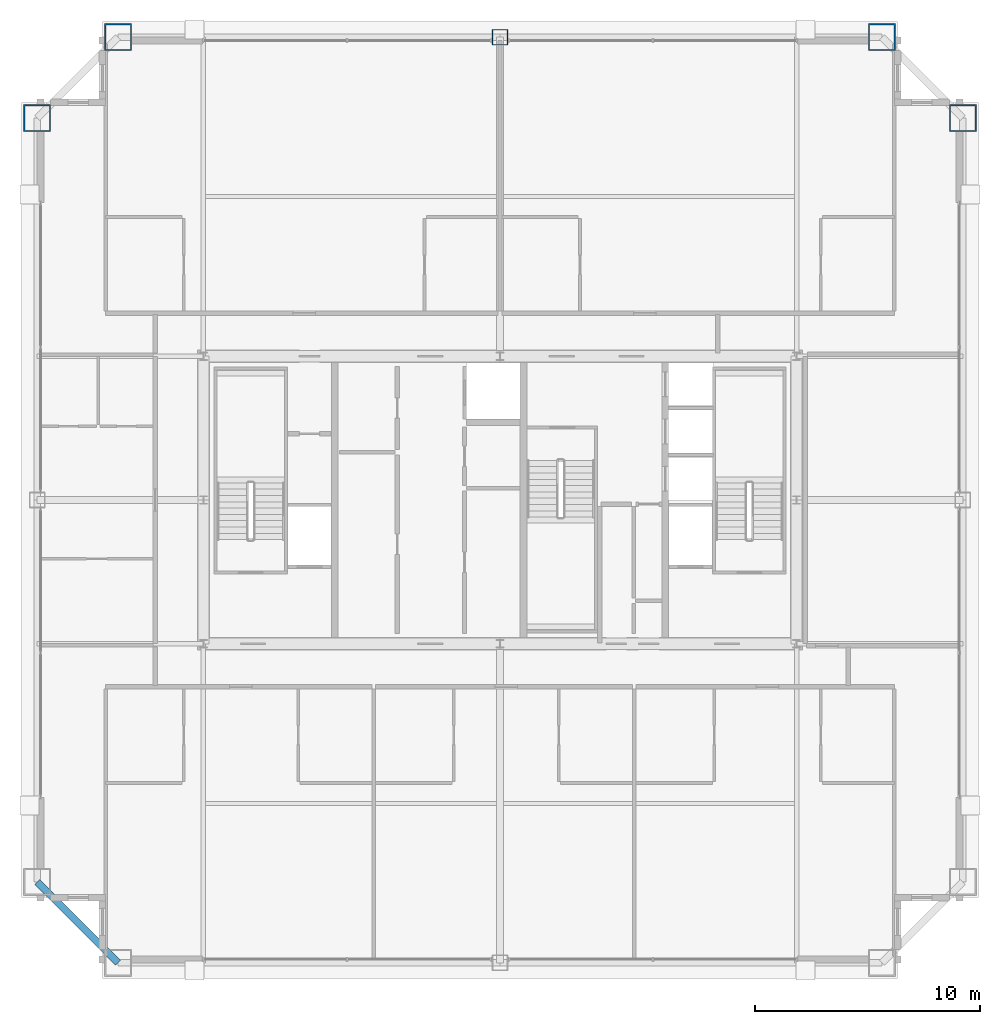
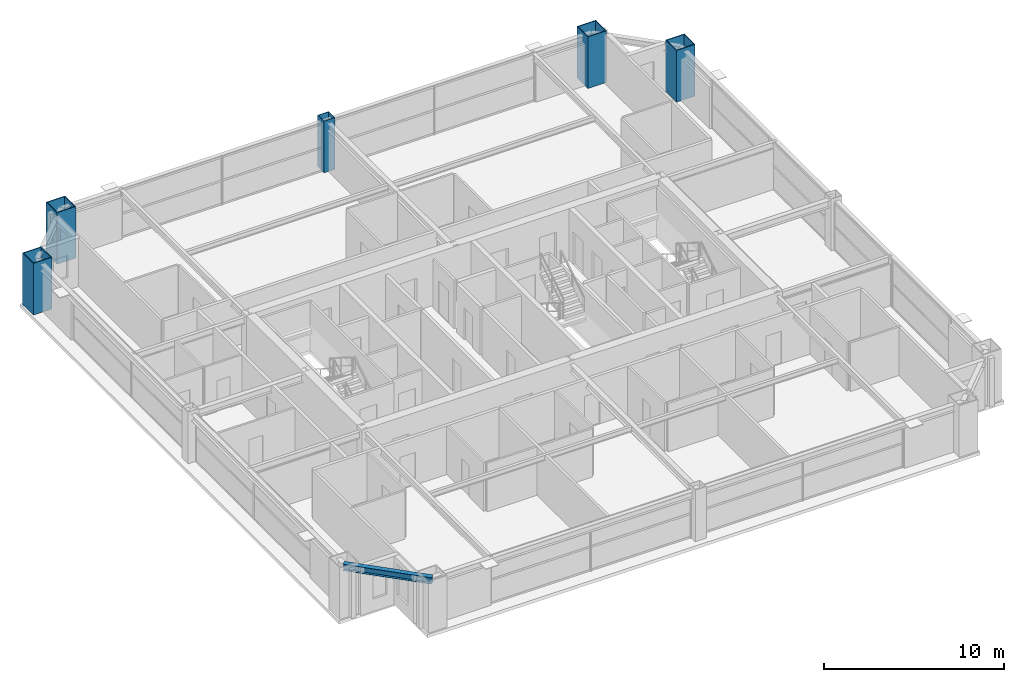
# One storey, part 3 of 37: 5 columns, 1 beam.
"""IFC4 building model written with IfcOpenShell, lengths in metres."""

from ifc_helpers import new_model, si_unit, direction, frame, origin, origin_2d, place, context, subcontext, project, spatial, hollow_rectangle, i_section, extrude, source, transform, mapped, material, material_profile, profile_set, type_object, element, save


model = new_model("IFC4")

# Units and contexts
model_context = context("Model", 3, precision=1e-05, world=origin(), true_north=direction((0.0, 1.0)))
body_context = subcontext(model_context, "Body", "Model", "MODEL_VIEW")
ifc_project = project(units=[si_unit("LENGTHUNIT", "METRE"), si_unit("AREAUNIT", "SQUARE_METRE"), si_unit("VOLUMEUNIT", "CUBIC_METRE"), si_unit("PLANEANGLEUNIT", "RADIAN"), si_unit("MASSUNIT", "GRAM", prefix="KILO"), si_unit("THERMODYNAMICTEMPERATUREUNIT", "KELVIN"), si_unit("POWERUNIT", "WATT")], contexts=[model_context])

# Site, building, storey
site_placement = place(None, origin())
site = spatial("IfcSite", under=ifc_project, at=site_placement, CompositionType="ELEMENT")
building_placement = place(site_placement, origin())
building = spatial("IfcBuilding", under=site, at=building_placement, Name="Yuzanri Waterfront Tower", CompositionType="ELEMENT")
storey_placement = place(building_placement, frame((0.0, 0.0, 275.10009765625)))
storey = spatial("IfcBuildingStorey", under=building, at=storey_placement, Name="L73", CompositionType="ELEMENT", Elevation=275.10009765625)

# Columns
ifc_material_1 = material(Name="Steel Q390GJC", Category="steel")
ifc_material_profile_1 = material_profile(ifc_material_1, hollow_rectangle(XDim=1.199951171875, YDim=1.199951171875, WallThickness=0.054931640625, at=origin_2d()), Name="RHS 1200x1200x55")
ifc_profile_set_1 = profile_set([ifc_material_profile_1], Name="Steel Q390GJC")
column_type_1 = type_object("IfcColumnType", Name="Mega Column Q390GJC RHS 1200x1200x55", PredefinedType="COLUMN", material=ifc_profile_set_1)
shared_shape_1 = source(origin(), body_context, "Body", "SweptSolid", [
    extrude(hollow_rectangle(XDim=1.199951171875, YDim=1.199951171875, WallThickness=0.054931640625, at=origin_2d()), origin(), (0.0, 0.0, 1.0), 3.5),
])
for number, where, z_axis, x_axis, name in (
    (1, (20.0, 46.39990234375, 0.0), (0.0, 0.0, 1.0), (1.0, 0.0, 0.0), "L73 Perimeter Mega Column N1"),
    (2, (54.0, 46.39990234375, 0.0), (0.0, 0.0, 1.0), (1.0, 0.0, 0.0), "L73 Perimeter Mega Column N3"),
    (3, (16.39990234375, 42.800048828125, 0.0), (0.0, 0.0, 1.0), (1.0, 0.0, 0.0), "L73 Perimeter Mega Column W3"),
    (4, (57.60009765625, 42.800048828125, 0.0), (0.0, 0.0, 1.0), (1.0, 0.0, 0.0), "L73 Perimeter Mega Column E3"),
):
    element("IfcColumn", number, at=place(storey_placement, frame(where, z_axis=z_axis, x_axis=x_axis)), inside=storey, type_object=column_type_1, Name=name, PredefinedType="COLUMN", context=body_context, shape_type="MappedRepresentation", body=[
        mapped(shared_shape_1, transform((0.0, 0.0, 0.0), scale=1.0)),
    ])
ifc_material_2 = material(Name="Steel Q355B", Category="steel")
ifc_material_profile_2 = material_profile(ifc_material_2, hollow_rectangle(XDim=0.699951171875, YDim=0.699951171875, WallThickness=0.031982421875, at=origin_2d()), Name="RHS 700x700x32")
ifc_profile_set_2 = profile_set([ifc_material_profile_2], Name="Steel Q355B")
column_type_2 = type_object("IfcColumnType", Name="Frame Column Q355B RHS 700x700x32", PredefinedType="COLUMN", material=ifc_profile_set_2)
shared_shape_2 = source(origin(), body_context, "Body", "SweptSolid", [
    extrude(hollow_rectangle(XDim=0.699951171875, YDim=0.699951171875, WallThickness=0.031982421875, at=origin_2d()), origin(), (0.0, 0.0, 1.0), 3.5),
])
column_placement = place(storey_placement, frame((37.0, 46.39990234375, 0.0), z_axis=(0.0, 0.0, 1.0), x_axis=(1.0, 0.0, 0.0)))
element("IfcColumn", 5, at=column_placement, inside=storey, type_object=column_type_2, Name="L73 Perimeter Frame Column N2", PredefinedType="COLUMN", context=body_context, shape_type="MappedRepresentation", body=[
    mapped(shared_shape_2, transform((0.0, 0.0, 0.0), scale=1.0)),
])

# Beam
ifc_material_3 = material(Name="Steel Q355B", Category="steel")
ifc_material_profile_3 = material_profile(ifc_material_3, i_section(OverallWidth=0.300048828125, OverallDepth=0.43994140625, WebThickness=0.010986328125, FlangeThickness=0.01806640625, at=origin_2d()), Name="HM 440x300x11x18")
ifc_profile_set_3 = profile_set([ifc_material_profile_3], Name="Steel Q355B")
beam_type = type_object("IfcBeamType", Name="Perimeter Spandrel Q355B HM 440x300", PredefinedType="SPANDREL", material=ifc_profile_set_3)
shared_shape_3 = source(origin(), body_context, "Body", "SweptSolid", [
    extrude(i_section(OverallWidth=0.300048828125, OverallDepth=0.43994140625, WebThickness=0.010986328125, FlangeThickness=0.01806640625, at=origin_2d()), origin(), (0.0, 0.0, 1.0), 5.09130859375),
])
beam_placement = place(storey_placement, frame((16.39990234375, 8.800048828125, 3.059814453125), z_axis=(0.707106781187, -0.707106781187, 0.0), x_axis=(0.707106781187, 0.707106781187, 0.0)))
element("IfcBeam", 6, at=beam_placement, inside=storey, type_object=beam_type, Name="L73 Perimeter Spandrel W1-S1", PredefinedType="SPANDREL", context=body_context, shape_type="MappedRepresentation", body=[
    mapped(shared_shape_3, transform((0.0, 0.0, 0.0), scale=1.0)),
])

save(model, "model.ifc")
